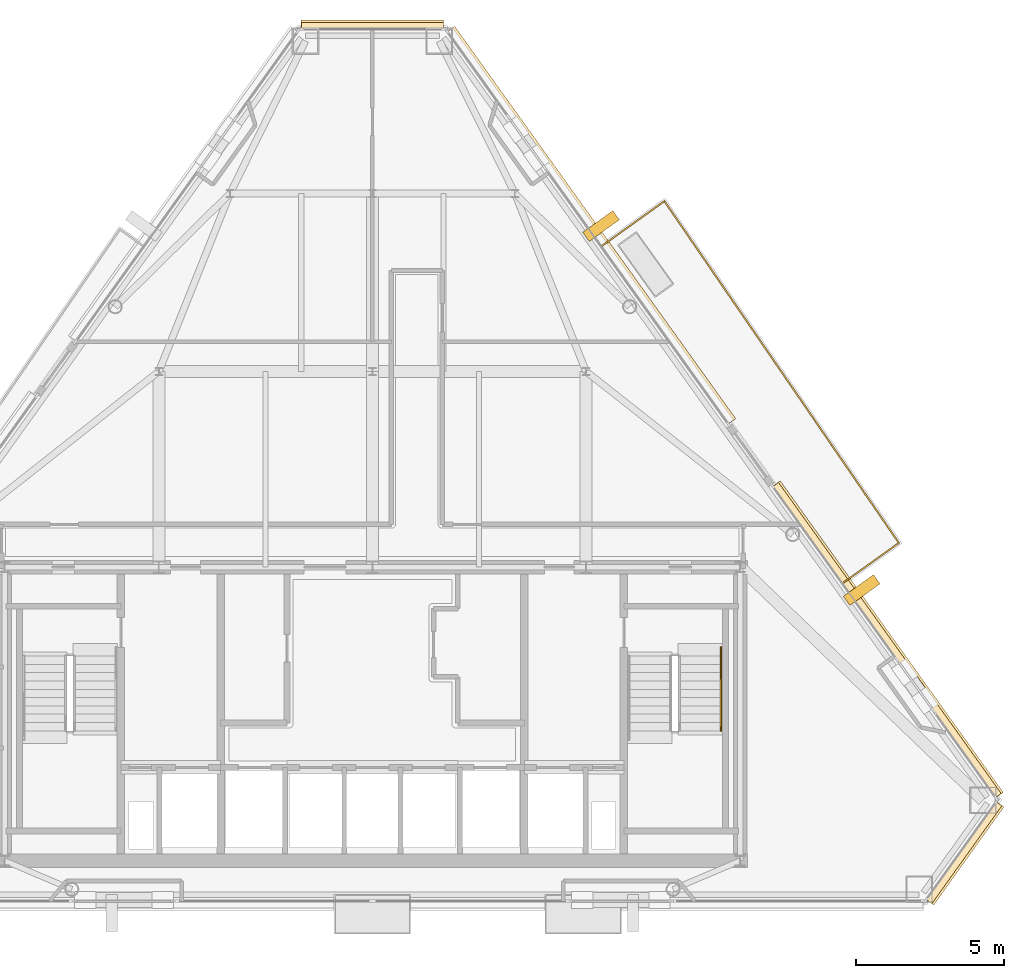
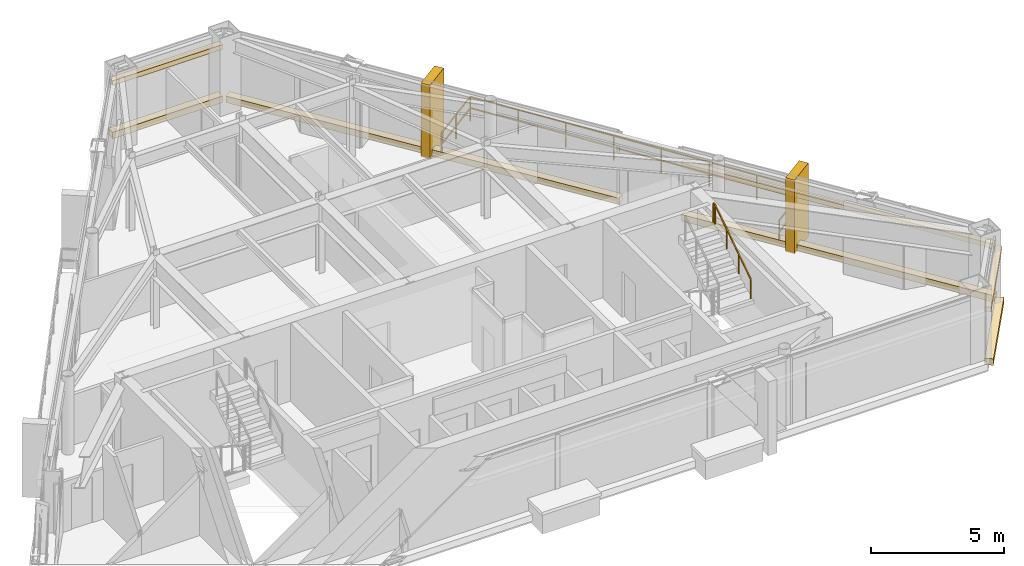
# One storey, part 12 of 12: 9 coverings, 2 railings.
"""IFC4 building model written with IfcOpenShell, lengths in metres."""

import ifcopenshell
import ifcopenshell.guid

model = None  # the IFC model being written
_history = None  # IfcOwnerHistory: only IFC2X3 demands one
_inside = {}  # id of a spatial element -> (the spatial element, [elements in it])
_under = {}  # id of a project, library or spatial element -> (it, [spatial elements below it])
_declared = {}  # id of a project -> (the project, [libraries it declares])
_typed = {}  # id of a type object -> (the type object, [elements of that type])
_made_of = {}  # id of a material, layer set ... -> (it, [elements and type objects made of it])


def new_model(schema):
    """Start an empty IFC model of exactly this schema.

    Asked for "IFC4X3", IfcOpenShell would pick the latest addendum, in which some entities
    have other attributes; the version numbers below select the first issue.
    IFC2X3 requires an IfcOwnerHistory on every rooted entity: one is made here for all.
    """
    global model, _history
    if schema == "IFC4X3":
        model = ifcopenshell.file(schema_version=(4, 3, 0, 0))
    else:
        model = ifcopenshell.file(schema=schema)
    _inside.clear()
    _under.clear()
    _declared.clear()
    _typed.clear()
    _made_of.clear()
    _history = None
    if model.schema == "IFC2X3":
        org = make("IfcOrganization", Name="unknown")
        user = make(
            "IfcPersonAndOrganization",
            ThePerson=make("IfcPerson", FamilyName="unknown"),
            TheOrganization=org,
        )
        app = make(
            "IfcApplication",
            ApplicationDeveloper=org,
            Version="unknown",
            ApplicationFullName="unknown",
            ApplicationIdentifier="unknown",
        )
        _history = make(
            "IfcOwnerHistory",
            OwningUser=user,
            OwningApplication=app,
            ChangeAction="ADDED",
            CreationDate=0,
        )
    return model


def make(cls, **values):
    """One entity of the class cls with the attributes given. An attribute that is None is left unset."""
    return model.create_entity(
        cls, **{name: value for name, value in values.items() if value is not None}
    )


def rooted(cls, **values):
    """An entity with a GlobalId (a new one), such as an element, a storey or a relation."""
    return make(cls, GlobalId=ifcopenshell.guid.new(), OwnerHistory=_history, **values)


def si_unit(unit_type, name, prefix=None):
    """IfcSIUnit, for example si_unit("LENGTHUNIT", "METRE", prefix="MILLI")."""
    return make("IfcSIUnit", UnitType=unit_type, Prefix=prefix, Name=name)


def assignment(units):
    """IfcUnitAssignment: the units of a project."""
    return None if units is None else make("IfcUnitAssignment", Units=units)


def point(xyz):
    """IfcCartesianPoint."""
    return None if xyz is None else make("IfcCartesianPoint", Coordinates=xyz)


def direction(xyz):
    """IfcDirection."""
    return None if xyz is None else make("IfcDirection", DirectionRatios=xyz)


def frame(location, z_axis=None, x_axis=None):
    """IfcAxis2Placement3D, a coordinate frame: its origin and axes. An axis left out is left unset."""
    return make(
        "IfcAxis2Placement3D",
        Location=point(location),
        Axis=direction(z_axis),
        RefDirection=direction(x_axis),
    )


def frame_2d(location, x_axis=None):
    """IfcAxis2Placement2D, a coordinate frame in the plane: its origin and x axis."""
    return make(
        "IfcAxis2Placement2D", Location=point(location), RefDirection=direction(x_axis)
    )


def origin():
    """The frame at (0, 0, 0) with its axes left unset."""
    return frame((0.0, 0.0, 0.0))


def origin_2d():
    """The frame at (0, 0) in the plane with its x axis left unset."""
    return frame_2d((0.0, 0.0))


def place(relative_to, where):
    """IfcLocalPlacement: puts the frame where relative to a parent placement (None: the world)."""
    return make(
        "IfcLocalPlacement", PlacementRelTo=relative_to, RelativePlacement=where
    )


def context(
    kind, dimensions, precision=None, world=None, true_north=None, identifier=None
):
    """IfcGeometricRepresentationContext, for example the 3D "Model" context."""
    return make(
        "IfcGeometricRepresentationContext",
        ContextIdentifier=identifier,
        ContextType=kind,
        CoordinateSpaceDimension=dimensions,
        Precision=precision,
        WorldCoordinateSystem=world,
        TrueNorth=true_north,
    )


def subcontext(parent, identifier, kind, view, scale=None):
    """IfcGeometricRepresentationSubContext, for example "Body" below "Model"."""
    return make(
        "IfcGeometricRepresentationSubContext",
        ContextIdentifier=identifier,
        ContextType=kind,
        ParentContext=parent,
        TargetScale=scale,
        TargetView=view,
    )


def project(units=None, contexts=None):
    """IfcProject with its units and contexts."""
    return rooted(
        "IfcProject",
        Name="project",
        RepresentationContexts=contexts,
        UnitsInContext=assignment(units),
    )


def spatial(cls, under=None, at=None, **own):
    """A site, building, storey or space (cls), placed at a placement, below another one or the project."""
    s = rooted(cls, ObjectPlacement=at, **own)
    if under is not None:
        _under.setdefault(under.id(), (under, []))[1].append(s)
    return s


def profile(cls, at=None, kind="AREA", **sizes):
    """A parametric profile (cls). Its sizes go by their IFC names, for example OverallWidth=200.0."""
    return make(cls, ProfileType=kind, Position=at, **sizes)


def rectangle(**sizes):
    """IfcRectangleProfileDef."""
    return profile("IfcRectangleProfileDef", **sizes)


def extrude(swept, where, along, depth):
    """IfcExtrudedAreaSolid: the profile swept, set in the frame where, extruded along a direction by depth."""
    return make(
        "IfcExtrudedAreaSolid",
        SweptArea=swept,
        Position=where,
        ExtrudedDirection=direction(along),
        Depth=depth,
    )


def shape(context_of_items, identifier, shape_type, items):
    """IfcShapeRepresentation: the items that make up one representation, for example the "Body"."""
    return make(
        "IfcShapeRepresentation",
        ContextOfItems=context_of_items,
        RepresentationIdentifier=identifier,
        RepresentationType=shape_type,
        Items=items,
    )


def material(Name=None, Category=None):
    """IfcMaterial."""
    return make("IfcMaterial", Name=Name, Category=Category)


def layer(
    of_material, thickness, ventilated=None, Name=None, Category=None, Priority=None
):
    """IfcMaterialLayer: one layer of a wall or slab, of a material (None: an air gap)."""
    return make(
        "IfcMaterialLayer",
        Material=of_material,
        LayerThickness=thickness,
        IsVentilated=ventilated,
        Name=Name,
        Category=Category,
        Priority=Priority,
    )


def layer_set(layers, Name=None):
    """IfcMaterialLayerSet."""
    return make("IfcMaterialLayerSet", MaterialLayers=layers, LayerSetName=Name)


def made_of(thing, what):
    """Note that an element or type object is made of a material, layer set ...; save() writes the relation."""
    if what is not None:
        _made_of.setdefault(what.id(), (what, []))[1].append(thing)
    return thing


def type_object(cls, material=None, **own):
    """A type object (cls), such as IfcWallType, which elements share."""
    return made_of(rooted(cls, **own), material)


def element(
    cls,
    number,
    at=None,
    inside=None,
    cuts=None,
    type_object=None,
    material=None,
    context=None,
    identifier="Body",
    shape_type=None,
    held_by="IfcProductDefinitionShape",
    body=None,
    shapes=None,
    **own,
):
    """One element of the class cls, such as IfcWall. Its Tag is "e" and its number.

    at: its placement. inside: the storey or other place that contains it. cuts: it is an
    opening in that element (IfcRelVoidsElement). A single representation is given by context,
    identifier, shape_type and body (its items); several are given by shapes. held_by: the class
    of the entity that holds the representations. save() writes the other relations.
    """
    e = rooted(cls, Tag="e%d" % number, ObjectPlacement=at, **own)
    if body is not None:
        shapes = [shape(context, identifier, shape_type, body)]
    if shapes is not None:
        e.Representation = make(held_by, Representations=shapes)
    if inside is not None:
        _inside.setdefault(inside.id(), (inside, []))[1].append(e)
    if cuts is not None:
        rooted(
            "IfcRelVoidsElement", RelatingBuildingElement=cuts, RelatedOpeningElement=e
        )
    if type_object is not None:
        _typed.setdefault(type_object.id(), (type_object, []))[1].append(e)
    return made_of(e, material)


def aggregate(whole, parts):
    """IfcRelAggregates: a whole, such as a stair, and the parts it consists of."""
    return rooted("IfcRelAggregates", RelatingObject=whole, RelatedObjects=parts)


def save(model, path):
    """Write the relations noted so far, then the file.

    IfcRelAggregates (storeys below a building ...), IfcRelContainedInSpatialStructure (elements
    in a storey), IfcRelDefinesByType, IfcRelAssociatesMaterial and IfcRelDeclares: one each for
    every whole, place, type object, material and project.
    """
    for whole, parts in _under.values():
        aggregate(whole, parts)
    for where, things in _inside.values():
        rooted(
            "IfcRelContainedInSpatialStructure",
            RelatedElements=things,
            RelatingStructure=where,
        )
    for kind, things in _typed.values():
        rooted("IfcRelDefinesByType", RelatedObjects=things, RelatingType=kind)
    for what, things in _made_of.values():
        rooted("IfcRelAssociatesMaterial", RelatedObjects=things, RelatingMaterial=what)
    for by, libraries in _declared.values():
        rooted("IfcRelDeclares", RelatingContext=by, RelatedDefinitions=libraries)
    model.write(path)


model = new_model("IFC4")

# Units and contexts
model_context = context("Model", 3, precision=1e-05, world=origin(), true_north=direction((0.0, 1.0)))
body_context = subcontext(model_context, "Body", "Model", "MODEL_VIEW")
ifc_project = project(units=[si_unit("LENGTHUNIT", "METRE"), si_unit("AREAUNIT", "SQUARE_METRE"), si_unit("VOLUMEUNIT", "CUBIC_METRE"), si_unit("PLANEANGLEUNIT", "RADIAN"), si_unit("MASSUNIT", "GRAM", prefix="KILO")], contexts=[model_context])

# Site, building, storey
site_placement = place(None, origin())
site = spatial("IfcSite", under=ifc_project, at=site_placement, CompositionType="ELEMENT")
building_placement = place(site_placement, origin())
building = spatial("IfcBuilding", under=site, at=building_placement, Name="Talgorran Terracotta Tower", CompositionType="ELEMENT")
storey_placement = place(building_placement, frame((0.0, 0.0, 252.60009765625)))
storey = spatial("IfcBuildingStorey", under=building, at=storey_placement, Name="L66", CompositionType="ELEMENT", Elevation=252.60009765625)

# Coverings
ifc_material_1 = material(Name="Kiln-Fired Terracotta Ochre Ceramic", Category="masonry")
ifc_layer_1 = layer(ifc_material_1, 0.179931640625, Name="COV_BAGUETTE_TERRACOTTA_SCREEN")
ifc_layer_set_1 = layer_set([ifc_layer_1], Name="Kiln-Fired Terracotta Ochre Ceramic")
covering_type_1 = type_object("IfcCoveringType", Name="COV_BAGUETTE_TERRACOTTA_SCREEN", PredefinedType="CLADDING", material=ifc_layer_set_1)
covering_1_placement = place(storey_placement, frame((19.938720703125, -13.818115234375, 2.41015625), z_axis=(0.0, 0.0, 1.0), x_axis=(0.582222304811, 0.813029635242, 0.0)))
element("IfcCovering", 1, at=covering_1_placement, inside=storey, type_object=covering_type_1, Name="L66 Terracotta Baguette Solar Screen Assembly F2", PredefinedType="CLADDING", context=body_context, shape_type="SweptSolid", body=[
    extrude(rectangle(XDim=4.050048828125, YDim=0.260009765625, at=origin_2d()), origin(), (0.0, 0.0, 1.0), 0.219970703125),
])
covering_2_placement = place(storey_placement, frame((17.34033203125, -6.66650390625, 2.41015625), z_axis=(0.0, 0.0, 1.0), x_axis=(-0.582208114678, 0.813039796814, 0.0)))
element("IfcCovering", 2, at=covering_2_placement, inside=storey, type_object=covering_type_1, Name="L66 Terracotta Baguette Solar Screen Assembly F40", PredefinedType="CLADDING", context=body_context, shape_type="SweptSolid", body=[
    extrude(rectangle(XDim=12.89599609375, YDim=0.260009765625, at=origin_2d()), origin(), (0.0, 0.0, 1.0), 0.219970703125),
])
covering_3_placement = place(storey_placement, frame((0.0, 14.03662109375, 2.41015625), z_axis=(0.0, 0.0, 1.0), x_axis=(-1.0, 0.0, 0.0)))
element("IfcCovering", 3, at=covering_3_placement, inside=storey, type_object=covering_type_1, Name="L66 Terracotta Baguette Solar Screen Assembly F4", PredefinedType="CLADDING", context=body_context, shape_type="SweptSolid", body=[
    extrude(rectangle(XDim=4.787109375, YDim=0.260009765625, at=origin_2d()), origin(), (0.0, 0.0, 1.0), 0.219970703125),
])
ifc_material_2 = material(Name="Honed Limestone Cladding", Category="masonry")
ifc_layer_2 = layer(ifc_material_2, 0.094970703125, Name="COV_PORTAL_LIME")
ifc_layer_set_2 = layer_set([ifc_layer_2], Name="Honed Limestone Cladding")
covering_type_2 = type_object("IfcCoveringType", Name="COV_PORTAL_LIME", PredefinedType="CLADDING", material=ifc_layer_set_2)
covering_4_placement = place(storey_placement, frame((19.97119140625, -13.841552734375, -0.0400390625), z_axis=(0.0, 0.0, 1.0), x_axis=(0.582222304811, 0.813029635242, 0.0)))
element("IfcCovering", 4, at=covering_4_placement, inside=storey, type_object=covering_type_2, Name="L66 Striped Postmodern Portal Cladding Band F2", PredefinedType="CLADDING", context=body_context, shape_type="SweptSolid", body=[
    extrude(rectangle(XDim=4.070068359375, YDim=0.340087890625, at=origin_2d()), origin(), (0.0, 0.0, 1.0), 0.300048828125),
])
covering_5_placement = place(storey_placement, frame((17.372802734375, -6.643310546875, -0.0400390625), z_axis=(0.0, 0.0, 1.0), x_axis=(-0.582208114678, 0.813039796814, 0.0)))
element("IfcCovering", 5, at=covering_5_placement, inside=storey, type_object=covering_type_2, Name="L66 Striped Postmodern Portal Cladding Band F40", PredefinedType="CLADDING", context=body_context, shape_type="SweptSolid", body=[
    extrude(rectangle(XDim=12.916015625, YDim=0.340087890625, at=origin_2d()), origin(), (0.0, 0.0, 1.0), 0.300048828125),
])
covering_6_placement = place(storey_placement, frame((7.373291015625, 7.321044921875, -0.0400390625), z_axis=(0.0, 0.0, 1.0), x_axis=(-0.582208114678, 0.813039796814, 0.0)))
element("IfcCovering", 6, at=covering_6_placement, inside=storey, type_object=covering_type_2, Name="L66 Striped Postmodern Portal Cladding Band F41", PredefinedType="CLADDING", context=body_context, shape_type="SweptSolid", body=[
    extrude(rectangle(XDim=16.274658203125, YDim=0.340087890625, at=origin_2d()), origin(), (0.0, 0.0, 1.0), 0.300048828125),
])
covering_7_placement = place(storey_placement, frame((0.0, 14.07666015625, -0.0400390625), z_axis=(0.0, 0.0, 1.0), x_axis=(-1.0, 0.0, 0.0)))
element("IfcCovering", 7, at=covering_7_placement, inside=storey, type_object=covering_type_2, Name="L66 Striped Postmodern Portal Cladding Band F4", PredefinedType="CLADDING", context=body_context, shape_type="SweptSolid", body=[
    extrude(rectangle(XDim=4.80712890625, YDim=0.340087890625, at=origin_2d()), origin(), (0.0, 0.0, 1.0), 0.300048828125),
])
covering_8_placement = place(storey_placement, frame((7.708251953125, 7.2998046875, -0.050048828125), z_axis=(0.0, 0.0, 1.0), x_axis=(-0.582208114678, 0.813039796814, 0.0)))
element("IfcCovering", 8, at=covering_8_placement, inside=storey, type_object=covering_type_2, Name="L66 White Striped Portal Fin F3-2", PredefinedType="CLADDING", context=body_context, shape_type="SweptSolid", body=[
    extrude(rectangle(XDim=0.3798828125, YDim=1.25, at=origin_2d()), origin(), (0.0, 0.0, 1.0), 3.39501953125),
])
ifc_material_3 = material(Name="Kiln-Fired Terracotta Cladding", Category="masonry")
ifc_layer_3 = layer(ifc_material_3, 0.090087890625, Name="COV_PORTAL_TERRA")
ifc_layer_set_3 = layer_set([ifc_layer_3], Name="Kiln-Fired Terracotta Cladding")
covering_type_3 = type_object("IfcCoveringType", Name="COV_PORTAL_TERRA", PredefinedType="CLADDING", material=ifc_layer_set_3)
covering_9_placement = place(storey_placement, frame((16.4970703125, -4.9736328125, -0.050048828125), z_axis=(0.0, 0.0, 1.0), x_axis=(-0.582208114678, 0.813039796814, 0.0)))
element("IfcCovering", 9, at=covering_9_placement, inside=storey, type_object=covering_type_3, Name="L66 Terracotta Striped Portal Fin F3-1", PredefinedType="CLADDING", context=body_context, shape_type="SweptSolid", body=[
    extrude(rectangle(XDim=0.3798828125, YDim=1.25, at=origin_2d()), origin(), (0.0, 0.0, 1.0), 3.39501953125),
])

# Railings
ifc_material_4 = material(Name="Laminated Glass and Stainless Steel 316", Category="steel")
railing_type_1 = type_object("IfcRailingType", Name="RL_BALCONY_1150", PredefinedType="BALUSTRADE", material=ifc_material_4)
railing_1_placement = place(storey_placement, frame((15.861083984375, -4.738037109375, 0.0)))
element("IfcRailing", 10, at=railing_1_placement, inside=storey, type_object=railing_type_1, Name="RL-L66-BAL-BAL-NE", PredefinedType="BALUSTRADE", context=body_context, shape_type="SweptSolid", body=[
    extrude(rectangle(XDim=0.048095703125, YDim=0.048095703125, at=origin_2d()), frame((0.0, 0.0, 1.1259765625), z_axis=(0.813015370246, 0.582242224288, 0.0), x_axis=(-0.582242224288, 0.813015370246, 0.0)), (0.0, 0.0, 1.0), 2.322265625),
    extrude(rectangle(XDim=0.048095703125, YDim=0.048095703125, at=origin_2d()), frame((0.0, 0.0, 0.597900390625), z_axis=(0.813015370246, 0.582242224288, 0.0), x_axis=(-0.582242224288, 0.813015370246, 0.0)), (0.0, 0.0, 1.0), 2.322265625),
    extrude(rectangle(XDim=0.048095703125, YDim=0.048095703125, at=origin_2d()), frame((1.887939453125, 1.35205078125, 1.1259765625), z_axis=(-0.56562986417, 0.824659236751, 0.0), x_axis=(-0.824659236751, -0.56562986417, 0.0)), (0.0, 0.0, 1.0), 13.974853515625),
    extrude(rectangle(XDim=0.048095703125, YDim=0.048095703125, at=origin_2d()), frame((1.887939453125, 1.35205078125, 0.597900390625), z_axis=(-0.56562986417, 0.824659236751, 0.0), x_axis=(-0.824659236751, -0.56562986417, 0.0)), (0.0, 0.0, 1.0), 13.974853515625),
    extrude(rectangle(XDim=0.048095703125, YDim=0.048095703125, at=origin_2d()), frame((-6.0166015625, 12.87646484375, 1.1259765625), z_axis=(-0.813030049505, -0.582221726323, 0.0), x_axis=(0.582221726323, -0.813030049505, 0.0)), (0.0, 0.0, 1.0), 2.605224609375),
    extrude(rectangle(XDim=0.048095703125, YDim=0.048095703125, at=origin_2d()), frame((-6.0166015625, 12.87646484375, 0.597900390625), z_axis=(-0.813030049505, -0.582221726323, 0.0), x_axis=(0.582221726323, -0.813030049505, 0.0)), (0.0, 0.0, 1.0), 2.605224609375),
    extrude(rectangle(XDim=0.0419921875, YDim=0.0419921875, at=origin_2d()), origin(), (0.0, 0.0, 1.0), 1.101806640625),
    extrude(rectangle(XDim=0.0419921875, YDim=0.0419921875, at=origin_2d()), frame((0.94384765625, 0.676025390625, 0.0)), (0.0, 0.0, 1.0), 1.101806640625),
    extrude(rectangle(XDim=0.0419921875, YDim=0.0419921875, at=origin_2d()), frame((1.887939453125, 1.35205078125, 0.0)), (0.0, 0.0, 1.0), 1.101806640625),
    extrude(rectangle(XDim=0.0419921875, YDim=0.0419921875, at=origin_2d()), frame((0.7587890625, 2.998291015625, 0.0)), (0.0, 0.0, 1.0), 1.101806640625),
    extrude(rectangle(XDim=0.0419921875, YDim=0.0419921875, at=origin_2d()), frame((-0.37060546875, 4.644775390625, 0.0)), (0.0, 0.0, 1.0), 1.101806640625),
    extrude(rectangle(XDim=0.0419921875, YDim=0.0419921875, at=origin_2d()), frame((-1.499755859375, 6.291015625, 0.0)), (0.0, 0.0, 1.0), 1.101806640625),
    extrude(rectangle(XDim=0.0419921875, YDim=0.0419921875, at=origin_2d()), frame((-2.62890625, 7.9375, 0.0)), (0.0, 0.0, 1.0), 1.101806640625),
    extrude(rectangle(XDim=0.0419921875, YDim=0.0419921875, at=origin_2d()), frame((-3.758056640625, 9.583740234375, 0.0)), (0.0, 0.0, 1.0), 1.101806640625),
    extrude(rectangle(XDim=0.0419921875, YDim=0.0419921875, at=origin_2d()), frame((-4.887451171875, 11.230224609375, 0.0)), (0.0, 0.0, 1.0), 1.101806640625),
    extrude(rectangle(XDim=0.0419921875, YDim=0.0419921875, at=origin_2d()), frame((-6.0166015625, 12.87646484375, 0.0)), (0.0, 0.0, 1.0), 1.101806640625),
    extrude(rectangle(XDim=0.0419921875, YDim=0.0419921875, at=origin_2d()), frame((-7.07568359375, 12.1181640625, 0.0)), (0.0, 0.0, 1.0), 1.101806640625),
    extrude(rectangle(XDim=0.0419921875, YDim=0.0419921875, at=origin_2d()), frame((-8.134765625, 11.359619140625, 0.0)), (0.0, 0.0, 1.0), 1.101806640625),
])
ifc_material_5 = material(Name="Steel S355 (300PLUS)", Category="steel")
railing_type_2 = type_object("IfcRailingType", Name="RL_HANDRAIL_920", PredefinedType="HANDRAIL", material=ifc_material_5)
railing_2_placement = place(storey_placement, frame((11.75, -9.719970703125, 1.97998046875)))
element("IfcRailing", 11, at=railing_2_placement, inside=storey, type_object=railing_type_2, Name="L66 ST-02 stair handrail 2", PredefinedType="HANDRAIL", context=body_context, shape_type="SweptSolid", body=[
    extrude(rectangle(XDim=0.048095703125, YDim=0.048095703125, at=origin_2d()), frame((0.0, 0.0, 0.89599609375), z_axis=(0.0, 0.832073444223, 0.554665469827), x_axis=(-1.0, 0.0, 0.0)), (0.0, 0.0, 1.0), 3.244873046875),
    extrude(rectangle(XDim=0.048095703125, YDim=0.048095703125, at=origin_2d()), frame((0.0, 2.699951171875, 2.69580078125), z_axis=(0.0, 1.0, 0.0), x_axis=(-1.0, 0.0, 0.0)), (0.0, 0.0, 1.0), 0.1201171875),
    extrude(rectangle(XDim=0.0419921875, YDim=0.0419921875, at=origin_2d()), origin(), (0.0, 0.0, 1.0), 0.871826171875),
    extrude(rectangle(XDim=0.0419921875, YDim=0.0419921875, at=origin_2d()), frame((0.0, 0.89990234375, 0.599853515625)), (0.0, 0.0, 1.0), 0.871826171875),
    extrude(rectangle(XDim=0.0419921875, YDim=0.0419921875, at=origin_2d()), frame((0.0, 1.800048828125, 1.199951171875)), (0.0, 0.0, 1.0), 0.871826171875),
    extrude(rectangle(XDim=0.0419921875, YDim=0.0419921875, at=origin_2d()), frame((0.0, 2.699951171875, 1.7998046875)), (0.0, 0.0, 1.0), 0.871826171875),
    extrude(rectangle(XDim=0.0419921875, YDim=0.0419921875, at=origin_2d()), frame((0.0, 2.820068359375, 1.7998046875)), (0.0, 0.0, 1.0), 0.871826171875),
])

save(model, "model.ifc")
